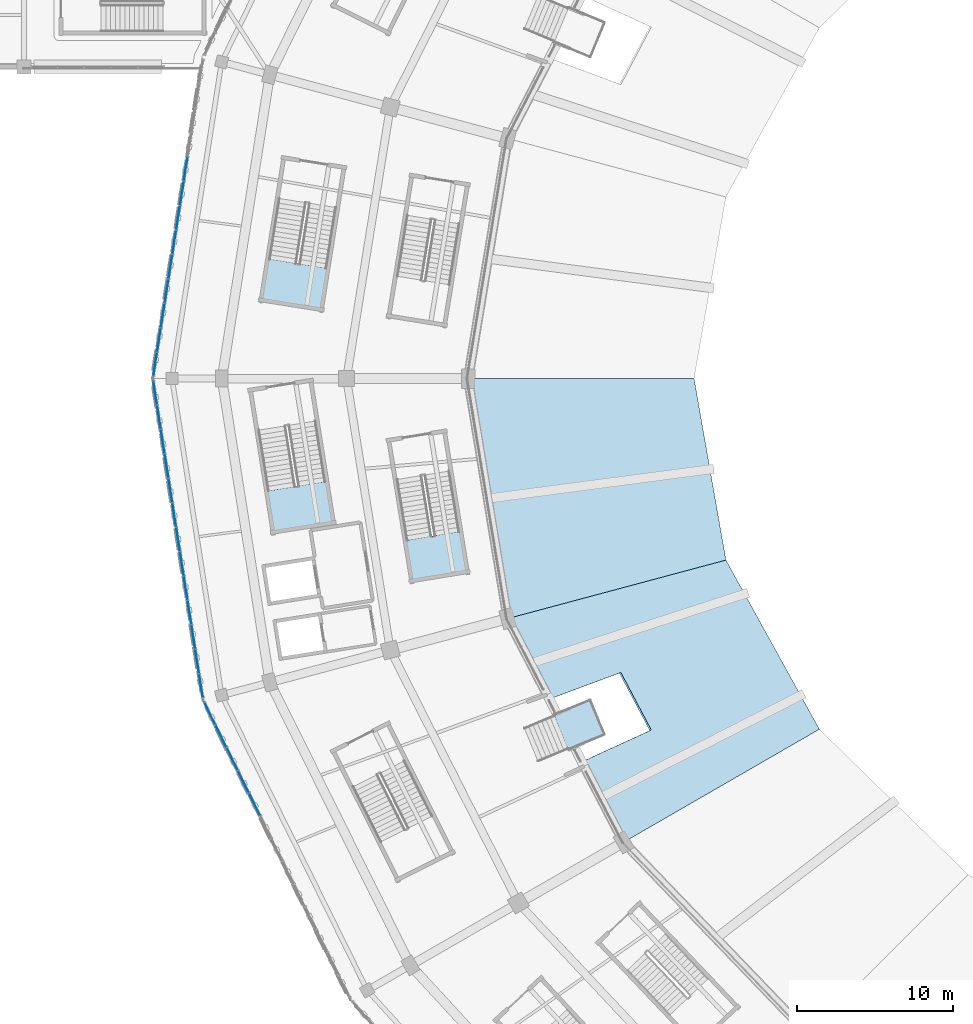
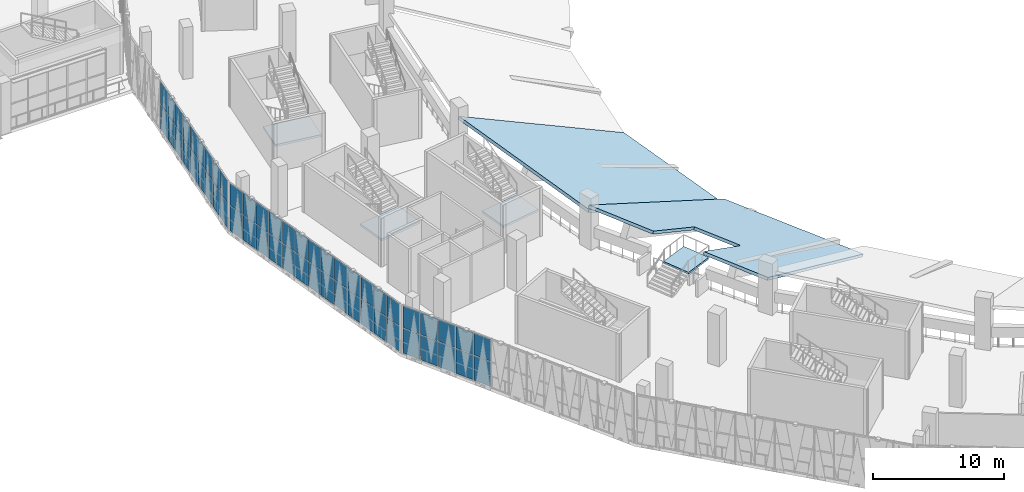
# One storey, part 77 of 183: 54 plates, 6 slabs, 7 elements without a shape of their own.
"""IFC4 building model written with IfcOpenShell, lengths in metres."""

from ifc_helpers import new_model, si_unit, direction, frame, origin, origin_2d, place, context, subcontext, project, spatial, polyline, rectangle, outline, extrude, material, layer, layer_set, type_object, element, aggregate, save


model = new_model("IFC4")

# Units and contexts
model_context = context("Model", 3, precision=1e-05, world=origin(), true_north=direction((0.0, 1.0)))
body_context = subcontext(model_context, "Body", "Model", "MODEL_VIEW")
ifc_project = project(units=[si_unit("LENGTHUNIT", "METRE"), si_unit("AREAUNIT", "SQUARE_METRE"), si_unit("VOLUMEUNIT", "CUBIC_METRE"), si_unit("PLANEANGLEUNIT", "RADIAN"), si_unit("MASSUNIT", "GRAM", prefix="KILO")], contexts=[model_context])

# Site, building, storey
site_placement = place(None, origin())
site = spatial("IfcSite", under=ifc_project, at=site_placement, CompositionType="ELEMENT")
building_placement = place(site_placement, origin())
building = spatial("IfcBuilding", under=site, at=building_placement, Name="Zevraka Park Crest Stadium", CompositionType="ELEMENT")
storey_placement = place(building_placement, frame((0.0, 0.0, 5.39990234375)))
storey = spatial("IfcBuildingStorey", under=building, at=storey_placement, Name="L01", CompositionType="ELEMENT", Elevation=5.39990234375)

# Curtain wall, plates
ifc_material_1 = material(Name="Anodised architectural aluminium and laminated safety glass", Category="aluminium")
curtain_wall_type_1 = type_object("IfcCurtainWallType", Name="CW01", PredefinedType="NOTDEFINED", material=ifc_material_1)
curtain_wall_1_placement = place(storey_placement, origin())
curtain_wall_1 = element("IfcCurtainWall", 1, at=curtain_wall_1_placement, inside=storey, type_object=curtain_wall_type_1, Name="Unitised Ring Curtain Wall CW01 L01-11", PredefinedType="NOTDEFINED")
ifc_material_2 = material(Name="Solar-control laminated double glazing", Category="glass")
ifc_layer_1 = layer(ifc_material_2, 0.028076171875)
ifc_layer_set_1 = layer_set([ifc_layer_1], Name="Solar-control laminated double glazing")
plate_type_1 = type_object("IfcPlateType", Name="CP01", PredefinedType="CURTAIN_PANEL", material=ifc_layer_set_1)
plate_1_placement = place(storey_placement, frame((19.384033203125, 105.449462890625, 0.06005859375), z_axis=(0.0, 0.0, 1.0), x_axis=(-0.154475977394, -0.987996544735, 0.0)))
plate_1 = element("IfcPlate", 2, at=plate_1_placement, type_object=plate_type_1, Name="CW01 panel 5.1", PredefinedType="CURTAIN_PANEL", context=body_context, shape_type="SweptSolid", body=[
    extrude(rectangle(XDim=1.526611328125, YDim=0.028076171875, at=origin_2d()), origin(), (0.0, 0.0, 1.0), 2.31005859375),
])
plate_2_placement = place(storey_placement, frame((19.384033203125, 105.449462890625, 2.43017578125), z_axis=(0.0, 0.0, 1.0), x_axis=(-0.154475977394, -0.987996544735, 0.0)))
plate_2 = element("IfcPlate", 3, at=plate_2_placement, type_object=plate_type_1, Name="CW01 panel 5.2", PredefinedType="CURTAIN_PANEL", context=body_context, shape_type="SweptSolid", body=[
    extrude(rectangle(XDim=1.526611328125, YDim=0.028076171875, at=origin_2d()), origin(), (0.0, 0.0, 1.0), 2.030029296875),
])
plate_3_placement = place(storey_placement, frame((19.13916015625, 103.882080078125, 0.06005859375), z_axis=(0.0, 0.0, 1.0), x_axis=(-0.154475977394, -0.987996544735, 0.0)))
plate_3 = element("IfcPlate", 4, at=plate_3_placement, type_object=plate_type_1, Name="CW01 panel 6.1", PredefinedType="CURTAIN_PANEL", context=body_context, shape_type="SweptSolid", body=[
    extrude(rectangle(XDim=1.526611328125, YDim=0.028076171875, at=origin_2d()), origin(), (0.0, 0.0, 1.0), 2.31005859375),
])
plate_4_placement = place(storey_placement, frame((19.13916015625, 103.882080078125, 2.43017578125), z_axis=(0.0, 0.0, 1.0), x_axis=(-0.154475977394, -0.987996544735, 0.0)))
plate_4 = element("IfcPlate", 5, at=plate_4_placement, type_object=plate_type_1, Name="CW01 panel 6.2", PredefinedType="CURTAIN_PANEL", context=body_context, shape_type="SweptSolid", body=[
    extrude(rectangle(XDim=1.526611328125, YDim=0.028076171875, at=origin_2d()), origin(), (0.0, 0.0, 1.0), 2.030029296875),
])
plate_5_placement = place(storey_placement, frame((18.89404296875, 102.314453125, 0.06005859375), z_axis=(0.0, 0.0, 1.0), x_axis=(-0.154475977394, -0.987996544735, 0.0)))
plate_5 = element("IfcPlate", 6, at=plate_5_placement, type_object=plate_type_1, Name="CW01 panel 7.1", PredefinedType="CURTAIN_PANEL", context=body_context, shape_type="SweptSolid", body=[
    extrude(rectangle(XDim=1.526611328125, YDim=0.028076171875, at=origin_2d()), origin(), (0.0, 0.0, 1.0), 2.31005859375),
])
plate_6_placement = place(storey_placement, frame((18.89404296875, 102.314453125, 2.43017578125), z_axis=(0.0, 0.0, 1.0), x_axis=(-0.154475977394, -0.987996544735, 0.0)))
plate_6 = element("IfcPlate", 7, at=plate_6_placement, type_object=plate_type_1, Name="CW01 panel 7.2", PredefinedType="CURTAIN_PANEL", context=body_context, shape_type="SweptSolid", body=[
    extrude(rectangle(XDim=1.526611328125, YDim=0.028076171875, at=origin_2d()), origin(), (0.0, 0.0, 1.0), 2.030029296875),
])
plate_7_placement = place(storey_placement, frame((18.64892578125, 100.7470703125, 0.06005859375), z_axis=(0.0, 0.0, 1.0), x_axis=(-0.154475977394, -0.987996544735, 0.0)))
plate_7 = element("IfcPlate", 8, at=plate_7_placement, type_object=plate_type_1, Name="CW01 panel 8.1", PredefinedType="CURTAIN_PANEL", context=body_context, shape_type="SweptSolid", body=[
    extrude(rectangle(XDim=1.526611328125, YDim=0.028076171875, at=origin_2d()), origin(), (0.0, 0.0, 1.0), 2.31005859375),
])
plate_8_placement = place(storey_placement, frame((18.64892578125, 100.7470703125, 2.43017578125), z_axis=(0.0, 0.0, 1.0), x_axis=(-0.154475977394, -0.987996544735, 0.0)))
plate_8 = element("IfcPlate", 9, at=plate_8_placement, type_object=plate_type_1, Name="CW01 panel 8.2", PredefinedType="CURTAIN_PANEL", context=body_context, shape_type="SweptSolid", body=[
    extrude(rectangle(XDim=1.526611328125, YDim=0.028076171875, at=origin_2d()), origin(), (0.0, 0.0, 1.0), 2.030029296875),
])
plate_9_placement = place(storey_placement, frame((18.40380859375, 99.1796875, 0.06005859375), z_axis=(0.0, 0.0, 1.0), x_axis=(-0.154475977394, -0.987996544735, 0.0)))
plate_9 = element("IfcPlate", 10, at=plate_9_placement, type_object=plate_type_1, Name="CW01 panel 9.1", PredefinedType="CURTAIN_PANEL", context=body_context, shape_type="SweptSolid", body=[
    extrude(rectangle(XDim=1.526611328125, YDim=0.028076171875, at=origin_2d()), origin(), (0.0, 0.0, 1.0), 2.31005859375),
])
plate_10_placement = place(storey_placement, frame((18.40380859375, 99.1796875, 2.43017578125), z_axis=(0.0, 0.0, 1.0), x_axis=(-0.154475977394, -0.987996544735, 0.0)))
plate_10 = element("IfcPlate", 11, at=plate_10_placement, type_object=plate_type_1, Name="CW01 panel 9.2", PredefinedType="CURTAIN_PANEL", context=body_context, shape_type="SweptSolid", body=[
    extrude(rectangle(XDim=1.526611328125, YDim=0.028076171875, at=origin_2d()), origin(), (0.0, 0.0, 1.0), 2.030029296875),
])
plate_11_placement = place(storey_placement, frame((18.15869140625, 97.612060546875, 0.06005859375), z_axis=(0.0, 0.0, 1.0), x_axis=(-0.154475977394, -0.987996544735, 0.0)))
plate_11 = element("IfcPlate", 12, at=plate_11_placement, type_object=plate_type_1, Name="CW01 panel 10.1", PredefinedType="CURTAIN_PANEL", context=body_context, shape_type="SweptSolid", body=[
    extrude(rectangle(XDim=1.526611328125, YDim=0.028076171875, at=origin_2d()), origin(), (0.0, 0.0, 1.0), 2.31005859375),
])
plate_12_placement = place(storey_placement, frame((18.15869140625, 97.612060546875, 2.43017578125), z_axis=(0.0, 0.0, 1.0), x_axis=(-0.154475977394, -0.987996544735, 0.0)))
plate_12 = element("IfcPlate", 13, at=plate_12_placement, type_object=plate_type_1, Name="CW01 panel 10.2", PredefinedType="CURTAIN_PANEL", context=body_context, shape_type="SweptSolid", body=[
    extrude(rectangle(XDim=1.526611328125, YDim=0.028076171875, at=origin_2d()), origin(), (0.0, 0.0, 1.0), 2.030029296875),
])
plate_13_placement = place(storey_placement, frame((17.91357421875, 96.044677734375, 0.06005859375), z_axis=(0.0, 0.0, 1.0), x_axis=(-0.154475977394, -0.987996544735, 0.0)))
plate_13 = element("IfcPlate", 14, at=plate_13_placement, type_object=plate_type_1, Name="CW01 panel 11.1", PredefinedType="CURTAIN_PANEL", context=body_context, shape_type="SweptSolid", body=[
    extrude(rectangle(XDim=1.526611328125, YDim=0.028076171875, at=origin_2d()), origin(), (0.0, 0.0, 1.0), 2.31005859375),
])
plate_14_placement = place(storey_placement, frame((17.91357421875, 96.044677734375, 2.43017578125), z_axis=(0.0, 0.0, 1.0), x_axis=(-0.154475977394, -0.987996544735, 0.0)))
plate_14 = element("IfcPlate", 15, at=plate_14_placement, type_object=plate_type_1, Name="CW01 panel 11.2", PredefinedType="CURTAIN_PANEL", context=body_context, shape_type="SweptSolid", body=[
    extrude(rectangle(XDim=1.526611328125, YDim=0.028076171875, at=origin_2d()), origin(), (0.0, 0.0, 1.0), 2.030029296875),
])
plate_15_placement = place(storey_placement, frame((17.668701171875, 94.477294921875, 0.06005859375), z_axis=(0.0, 0.0, 1.0), x_axis=(-0.154475977394, -0.987996544735, 0.0)))
plate_15 = element("IfcPlate", 16, at=plate_15_placement, type_object=plate_type_1, Name="CW01 panel 12.1", PredefinedType="CURTAIN_PANEL", context=body_context, shape_type="SweptSolid", body=[
    extrude(rectangle(XDim=1.526611328125, YDim=0.028076171875, at=origin_2d()), origin(), (0.0, 0.0, 1.0), 2.31005859375),
])
plate_16_placement = place(storey_placement, frame((17.668701171875, 94.477294921875, 2.43017578125), z_axis=(0.0, 0.0, 1.0), x_axis=(-0.154475977394, -0.987996544735, 0.0)))
plate_16 = element("IfcPlate", 17, at=plate_16_placement, type_object=plate_type_1, Name="CW01 panel 12.2", PredefinedType="CURTAIN_PANEL", context=body_context, shape_type="SweptSolid", body=[
    extrude(rectangle(XDim=1.526611328125, YDim=0.028076171875, at=origin_2d()), origin(), (0.0, 0.0, 1.0), 2.030029296875),
])
plate_17_placement = place(storey_placement, frame((17.42578125, 92.924560546875, 0.06005859375), z_axis=(0.0, 0.0, 1.0), x_axis=(-0.154475977394, -0.987996544735, 0.0)))
plate_17 = element("IfcPlate", 18, at=plate_17_placement, type_object=plate_type_1, Name="CW01 panel 13.1", PredefinedType="CURTAIN_PANEL", context=body_context, shape_type="SweptSolid", body=[
    extrude(rectangle(XDim=1.49658203125, YDim=0.028076171875, at=origin_2d()), origin(), (0.0, 0.0, 1.0), 2.31005859375),
])
plate_18_placement = place(storey_placement, frame((17.42578125, 92.924560546875, 2.43017578125), z_axis=(0.0, 0.0, 1.0), x_axis=(-0.154475977394, -0.987996544735, 0.0)))
plate_18 = element("IfcPlate", 19, at=plate_18_placement, type_object=plate_type_1, Name="CW01 panel 13.2", PredefinedType="CURTAIN_PANEL", context=body_context, shape_type="SweptSolid", body=[
    extrude(rectangle(XDim=1.49658203125, YDim=0.028076171875, at=origin_2d()), origin(), (0.0, 0.0, 1.0), 2.030029296875),
])
aggregate(curtain_wall_1, [plate_1, plate_2, plate_3, plate_4, plate_5, plate_6, plate_7, plate_8, plate_9, plate_10, plate_11, plate_12, plate_13, plate_14, plate_15, plate_16, plate_17, plate_18])

curtain_wall_2_placement = place(storey_placement, origin())
curtain_wall_2 = element("IfcCurtainWall", 20, at=curtain_wall_2_placement, inside=storey, type_object=curtain_wall_type_1, Name="Unitised Ring Curtain Wall CW01 L01-12", PredefinedType="NOTDEFINED")
plate_19_placement = place(storey_placement, frame((17.42578125, 91.075439453125, 0.06005859375), z_axis=(0.0, 0.0, 1.0), x_axis=(0.154475977394, -0.987996544735, 0.0)))
plate_19 = element("IfcPlate", 21, at=plate_19_placement, type_object=plate_type_1, Name="CW01 panel 1.1", PredefinedType="CURTAIN_PANEL", context=body_context, shape_type="SweptSolid", body=[
    extrude(rectangle(XDim=1.49658203125, YDim=0.028076171875, at=origin_2d()), origin(), (0.0, 0.0, 1.0), 2.31005859375),
])
plate_20_placement = place(storey_placement, frame((17.42578125, 91.075439453125, 2.43017578125), z_axis=(0.0, 0.0, 1.0), x_axis=(0.154475977394, -0.987996544735, 0.0)))
plate_20 = element("IfcPlate", 22, at=plate_20_placement, type_object=plate_type_1, Name="CW01 panel 1.2", PredefinedType="CURTAIN_PANEL", context=body_context, shape_type="SweptSolid", body=[
    extrude(rectangle(XDim=1.49658203125, YDim=0.028076171875, at=origin_2d()), origin(), (0.0, 0.0, 1.0), 2.030029296875),
])
plate_21_placement = place(storey_placement, frame((17.668701171875, 89.522705078125, 0.06005859375), z_axis=(0.0, 0.0, 1.0), x_axis=(0.154475977394, -0.987996544735, 0.0)))
plate_21 = element("IfcPlate", 23, at=plate_21_placement, type_object=plate_type_1, Name="CW01 panel 2.1", PredefinedType="CURTAIN_PANEL", context=body_context, shape_type="SweptSolid", body=[
    extrude(rectangle(XDim=1.526611328125, YDim=0.028076171875, at=origin_2d()), origin(), (0.0, 0.0, 1.0), 2.31005859375),
])
plate_22_placement = place(storey_placement, frame((17.668701171875, 89.522705078125, 2.43017578125), z_axis=(0.0, 0.0, 1.0), x_axis=(0.154475977394, -0.987996544735, 0.0)))
plate_22 = element("IfcPlate", 24, at=plate_22_placement, type_object=plate_type_1, Name="CW01 panel 2.2", PredefinedType="CURTAIN_PANEL", context=body_context, shape_type="SweptSolid", body=[
    extrude(rectangle(XDim=1.526611328125, YDim=0.028076171875, at=origin_2d()), origin(), (0.0, 0.0, 1.0), 2.030029296875),
])
plate_23_placement = place(storey_placement, frame((17.91357421875, 87.955322265625, 0.06005859375), z_axis=(0.0, 0.0, 1.0), x_axis=(0.154475977394, -0.987996544735, 0.0)))
plate_23 = element("IfcPlate", 25, at=plate_23_placement, type_object=plate_type_1, Name="CW01 panel 3.1", PredefinedType="CURTAIN_PANEL", context=body_context, shape_type="SweptSolid", body=[
    extrude(rectangle(XDim=1.526611328125, YDim=0.028076171875, at=origin_2d()), origin(), (0.0, 0.0, 1.0), 2.31005859375),
])
plate_24_placement = place(storey_placement, frame((17.91357421875, 87.955322265625, 2.43017578125), z_axis=(0.0, 0.0, 1.0), x_axis=(0.154475977394, -0.987996544735, 0.0)))
plate_24 = element("IfcPlate", 26, at=plate_24_placement, type_object=plate_type_1, Name="CW01 panel 3.2", PredefinedType="CURTAIN_PANEL", context=body_context, shape_type="SweptSolid", body=[
    extrude(rectangle(XDim=1.526611328125, YDim=0.028076171875, at=origin_2d()), origin(), (0.0, 0.0, 1.0), 2.030029296875),
])
plate_25_placement = place(storey_placement, frame((18.15869140625, 86.387939453125, 0.06005859375), z_axis=(0.0, 0.0, 1.0), x_axis=(0.154475977394, -0.987996544735, 0.0)))
plate_25 = element("IfcPlate", 27, at=plate_25_placement, type_object=plate_type_1, Name="CW01 panel 4.1", PredefinedType="CURTAIN_PANEL", context=body_context, shape_type="SweptSolid", body=[
    extrude(rectangle(XDim=1.526611328125, YDim=0.028076171875, at=origin_2d()), origin(), (0.0, 0.0, 1.0), 2.31005859375),
])
plate_26_placement = place(storey_placement, frame((18.15869140625, 86.387939453125, 2.43017578125), z_axis=(0.0, 0.0, 1.0), x_axis=(0.154475977394, -0.987996544735, 0.0)))
plate_26 = element("IfcPlate", 28, at=plate_26_placement, type_object=plate_type_1, Name="CW01 panel 4.2", PredefinedType="CURTAIN_PANEL", context=body_context, shape_type="SweptSolid", body=[
    extrude(rectangle(XDim=1.526611328125, YDim=0.028076171875, at=origin_2d()), origin(), (0.0, 0.0, 1.0), 2.030029296875),
])
plate_27_placement = place(storey_placement, frame((18.40380859375, 84.8203125, 0.06005859375), z_axis=(0.0, 0.0, 1.0), x_axis=(0.154475977394, -0.987996544735, 0.0)))
plate_27 = element("IfcPlate", 29, at=plate_27_placement, type_object=plate_type_1, Name="CW01 panel 5.1", PredefinedType="CURTAIN_PANEL", context=body_context, shape_type="SweptSolid", body=[
    extrude(rectangle(XDim=1.526611328125, YDim=0.028076171875, at=origin_2d()), origin(), (0.0, 0.0, 1.0), 2.31005859375),
])
plate_28_placement = place(storey_placement, frame((18.40380859375, 84.8203125, 2.43017578125), z_axis=(0.0, 0.0, 1.0), x_axis=(0.154475977394, -0.987996544735, 0.0)))
plate_28 = element("IfcPlate", 30, at=plate_28_placement, type_object=plate_type_1, Name="CW01 panel 5.2", PredefinedType="CURTAIN_PANEL", context=body_context, shape_type="SweptSolid", body=[
    extrude(rectangle(XDim=1.526611328125, YDim=0.028076171875, at=origin_2d()), origin(), (0.0, 0.0, 1.0), 2.030029296875),
])
plate_29_placement = place(storey_placement, frame((18.64892578125, 83.2529296875, 0.06005859375), z_axis=(0.0, 0.0, 1.0), x_axis=(0.154475977394, -0.987996544735, 0.0)))
plate_29 = element("IfcPlate", 31, at=plate_29_placement, type_object=plate_type_1, Name="CW01 panel 6.1", PredefinedType="CURTAIN_PANEL", context=body_context, shape_type="SweptSolid", body=[
    extrude(rectangle(XDim=1.526611328125, YDim=0.028076171875, at=origin_2d()), origin(), (0.0, 0.0, 1.0), 2.31005859375),
])
plate_30_placement = place(storey_placement, frame((18.64892578125, 83.2529296875, 2.43017578125), z_axis=(0.0, 0.0, 1.0), x_axis=(0.154475977394, -0.987996544735, 0.0)))
plate_30 = element("IfcPlate", 32, at=plate_30_placement, type_object=plate_type_1, Name="CW01 panel 6.2", PredefinedType="CURTAIN_PANEL", context=body_context, shape_type="SweptSolid", body=[
    extrude(rectangle(XDim=1.526611328125, YDim=0.028076171875, at=origin_2d()), origin(), (0.0, 0.0, 1.0), 2.030029296875),
])
plate_31_placement = place(storey_placement, frame((18.89404296875, 81.685546875, 0.06005859375), z_axis=(0.0, 0.0, 1.0), x_axis=(0.154475977394, -0.987996544735, 0.0)))
plate_31 = element("IfcPlate", 33, at=plate_31_placement, type_object=plate_type_1, Name="CW01 panel 7.1", PredefinedType="CURTAIN_PANEL", context=body_context, shape_type="SweptSolid", body=[
    extrude(rectangle(XDim=1.526611328125, YDim=0.028076171875, at=origin_2d()), origin(), (0.0, 0.0, 1.0), 2.31005859375),
])
plate_32_placement = place(storey_placement, frame((18.89404296875, 81.685546875, 2.43017578125), z_axis=(0.0, 0.0, 1.0), x_axis=(0.154475977394, -0.987996544735, 0.0)))
plate_32 = element("IfcPlate", 34, at=plate_32_placement, type_object=plate_type_1, Name="CW01 panel 7.2", PredefinedType="CURTAIN_PANEL", context=body_context, shape_type="SweptSolid", body=[
    extrude(rectangle(XDim=1.526611328125, YDim=0.028076171875, at=origin_2d()), origin(), (0.0, 0.0, 1.0), 2.030029296875),
])
plate_33_placement = place(storey_placement, frame((19.13916015625, 80.117919921875, 0.06005859375), z_axis=(0.0, 0.0, 1.0), x_axis=(0.154475977394, -0.987996544735, 0.0)))
plate_33 = element("IfcPlate", 35, at=plate_33_placement, type_object=plate_type_1, Name="CW01 panel 8.1", PredefinedType="CURTAIN_PANEL", context=body_context, shape_type="SweptSolid", body=[
    extrude(rectangle(XDim=1.526611328125, YDim=0.028076171875, at=origin_2d()), origin(), (0.0, 0.0, 1.0), 2.31005859375),
])
plate_34_placement = place(storey_placement, frame((19.13916015625, 80.117919921875, 2.43017578125), z_axis=(0.0, 0.0, 1.0), x_axis=(0.154475977394, -0.987996544735, 0.0)))
plate_34 = element("IfcPlate", 36, at=plate_34_placement, type_object=plate_type_1, Name="CW01 panel 8.2", PredefinedType="CURTAIN_PANEL", context=body_context, shape_type="SweptSolid", body=[
    extrude(rectangle(XDim=1.526611328125, YDim=0.028076171875, at=origin_2d()), origin(), (0.0, 0.0, 1.0), 2.030029296875),
])
plate_35_placement = place(storey_placement, frame((19.384033203125, 78.550537109375, 0.06005859375), z_axis=(0.0, 0.0, 1.0), x_axis=(0.154475977394, -0.987996544735, 0.0)))
plate_35 = element("IfcPlate", 37, at=plate_35_placement, type_object=plate_type_1, Name="CW01 panel 9.1", PredefinedType="CURTAIN_PANEL", context=body_context, shape_type="SweptSolid", body=[
    extrude(rectangle(XDim=1.526611328125, YDim=0.028076171875, at=origin_2d()), origin(), (0.0, 0.0, 1.0), 2.31005859375),
])
plate_36_placement = place(storey_placement, frame((19.384033203125, 78.550537109375, 2.43017578125), z_axis=(0.0, 0.0, 1.0), x_axis=(0.154475977394, -0.987996544735, 0.0)))
plate_36 = element("IfcPlate", 38, at=plate_36_placement, type_object=plate_type_1, Name="CW01 panel 9.2", PredefinedType="CURTAIN_PANEL", context=body_context, shape_type="SweptSolid", body=[
    extrude(rectangle(XDim=1.526611328125, YDim=0.028076171875, at=origin_2d()), origin(), (0.0, 0.0, 1.0), 2.030029296875),
])
plate_37_placement = place(storey_placement, frame((19.629150390625, 76.983154296875, 0.06005859375), z_axis=(0.0, 0.0, 1.0), x_axis=(0.154475977394, -0.987996544735, 0.0)))
plate_37 = element("IfcPlate", 39, at=plate_37_placement, type_object=plate_type_1, Name="CW01 panel 10.1", PredefinedType="CURTAIN_PANEL", context=body_context, shape_type="SweptSolid", body=[
    extrude(rectangle(XDim=1.526611328125, YDim=0.028076171875, at=origin_2d()), origin(), (0.0, 0.0, 1.0), 2.31005859375),
])
plate_38_placement = place(storey_placement, frame((19.629150390625, 76.983154296875, 2.43017578125), z_axis=(0.0, 0.0, 1.0), x_axis=(0.154475977394, -0.987996544735, 0.0)))
plate_38 = element("IfcPlate", 40, at=plate_38_placement, type_object=plate_type_1, Name="CW01 panel 10.2", PredefinedType="CURTAIN_PANEL", context=body_context, shape_type="SweptSolid", body=[
    extrude(rectangle(XDim=1.526611328125, YDim=0.028076171875, at=origin_2d()), origin(), (0.0, 0.0, 1.0), 2.030029296875),
])
plate_39_placement = place(storey_placement, frame((19.874267578125, 75.415771484375, 0.06005859375), z_axis=(0.0, 0.0, 1.0), x_axis=(0.154475977394, -0.987996544735, 0.0)))
plate_39 = element("IfcPlate", 41, at=plate_39_placement, type_object=plate_type_1, Name="CW01 panel 11.1", PredefinedType="CURTAIN_PANEL", context=body_context, shape_type="SweptSolid", body=[
    extrude(rectangle(XDim=1.526611328125, YDim=0.028076171875, at=origin_2d()), origin(), (0.0, 0.0, 1.0), 2.31005859375),
])
plate_40_placement = place(storey_placement, frame((19.874267578125, 75.415771484375, 2.43017578125), z_axis=(0.0, 0.0, 1.0), x_axis=(0.154475977394, -0.987996544735, 0.0)))
plate_40 = element("IfcPlate", 42, at=plate_40_placement, type_object=plate_type_1, Name="CW01 panel 11.2", PredefinedType="CURTAIN_PANEL", context=body_context, shape_type="SweptSolid", body=[
    extrude(rectangle(XDim=1.526611328125, YDim=0.028076171875, at=origin_2d()), origin(), (0.0, 0.0, 1.0), 2.030029296875),
])
plate_41_placement = place(storey_placement, frame((20.119384765625, 73.84814453125, 0.06005859375), z_axis=(0.0, 0.0, 1.0), x_axis=(0.154475977394, -0.987996544735, 0.0)))
plate_41 = element("IfcPlate", 43, at=plate_41_placement, type_object=plate_type_1, Name="CW01 panel 12.1", PredefinedType="CURTAIN_PANEL", context=body_context, shape_type="SweptSolid", body=[
    extrude(rectangle(XDim=1.526611328125, YDim=0.028076171875, at=origin_2d()), origin(), (0.0, 0.0, 1.0), 2.31005859375),
])
plate_42_placement = place(storey_placement, frame((20.119384765625, 73.84814453125, 2.43017578125), z_axis=(0.0, 0.0, 1.0), x_axis=(0.154475977394, -0.987996544735, 0.0)))
plate_42 = element("IfcPlate", 44, at=plate_42_placement, type_object=plate_type_1, Name="CW01 panel 12.2", PredefinedType="CURTAIN_PANEL", context=body_context, shape_type="SweptSolid", body=[
    extrude(rectangle(XDim=1.526611328125, YDim=0.028076171875, at=origin_2d()), origin(), (0.0, 0.0, 1.0), 2.030029296875),
])
plate_43_placement = place(storey_placement, frame((20.362060546875, 72.295654296875, 0.06005859375), z_axis=(0.0, 0.0, 1.0), x_axis=(0.154475977394, -0.987996544735, 0.0)))
plate_43 = element("IfcPlate", 45, at=plate_43_placement, type_object=plate_type_1, Name="CW01 panel 13.1", PredefinedType="CURTAIN_PANEL", context=body_context, shape_type="SweptSolid", body=[
    extrude(rectangle(XDim=1.49658203125, YDim=0.028076171875, at=origin_2d()), origin(), (0.0, 0.0, 1.0), 2.31005859375),
])
plate_44_placement = place(storey_placement, frame((20.362060546875, 72.295654296875, 2.43017578125), z_axis=(0.0, 0.0, 1.0), x_axis=(0.154475977394, -0.987996544735, 0.0)))
plate_44 = element("IfcPlate", 46, at=plate_44_placement, type_object=plate_type_1, Name="CW01 panel 13.2", PredefinedType="CURTAIN_PANEL", context=body_context, shape_type="SweptSolid", body=[
    extrude(rectangle(XDim=1.49658203125, YDim=0.028076171875, at=origin_2d()), origin(), (0.0, 0.0, 1.0), 2.030029296875),
])
aggregate(curtain_wall_2, [plate_19, plate_20, plate_21, plate_22, plate_23, plate_24, plate_25, plate_26, plate_27, plate_28, plate_29, plate_30, plate_31, plate_32, plate_33, plate_34, plate_35, plate_36, plate_37, plate_38, plate_39, plate_40, plate_41, plate_42, plate_43, plate_44])

ifc_material_3 = material(Name="Anodised architectural aluminium and laminated safety glass", Category="aluminium")
curtain_wall_type_2 = type_object("IfcCurtainWallType", Name="CW02", PredefinedType="NOTDEFINED", material=ifc_material_3)
curtain_wall_3_placement = place(storey_placement, origin())
curtain_wall_3 = element("IfcCurtainWall", 47, at=curtain_wall_3_placement, inside=storey, type_object=curtain_wall_type_2, Name="Unitised Ring Curtain Wall CW02 L01-13", PredefinedType="NOTDEFINED")
ifc_material_4 = material(Name="Solar-control laminated double glazing", Category="glass")
ifc_layer_2 = layer(ifc_material_4, 0.028076171875)
ifc_layer_set_2 = layer_set([ifc_layer_2], Name="Solar-control laminated double glazing")
plate_type_2 = type_object("IfcPlateType", Name="CP02", PredefinedType="CURTAIN_PANEL", material=ifc_layer_set_2)
plate_45_placement = place(storey_placement, frame((20.9306640625, 70.5107421875, 0.06494140625), z_axis=(0.0, 0.0, 1.0), x_axis=(0.44151730924, -0.897252732312, 0.0)))
plate_45 = element("IfcPlate", 48, at=plate_45_placement, type_object=plate_type_2, Name="CW02 panel 1.1", PredefinedType="CURTAIN_PANEL", context=body_context, shape_type="SweptSolid", body=[
    extrude(rectangle(XDim=1.531005859375, YDim=0.028076171875, at=origin_2d()), origin(), (0.0, 0.0, 1.0), 2.302490234375),
])
plate_46_placement = place(storey_placement, frame((20.9306640625, 70.5107421875, 2.4326171875), z_axis=(0.0, 0.0, 1.0), x_axis=(0.44151730924, -0.897252732312, 0.0)))
plate_46 = element("IfcPlate", 49, at=plate_46_placement, type_object=plate_type_2, Name="CW02 panel 1.2", PredefinedType="CURTAIN_PANEL", context=body_context, shape_type="SweptSolid", body=[
    extrude(rectangle(XDim=1.531005859375, YDim=0.028076171875, at=origin_2d()), origin(), (0.0, 0.0, 1.0), 2.0224609375),
])
plate_47_placement = place(storey_placement, frame((21.642578125, 69.064208984375, 0.06494140625), z_axis=(0.0, 0.0, 1.0), x_axis=(0.44151730924, -0.897252732312, 0.0)))
plate_47 = element("IfcPlate", 50, at=plate_47_placement, type_object=plate_type_2, Name="CW02 panel 2.1", PredefinedType="CURTAIN_PANEL", context=body_context, shape_type="SweptSolid", body=[
    extrude(rectangle(XDim=1.5634765625, YDim=0.028076171875, at=origin_2d()), origin(), (0.0, 0.0, 1.0), 2.302490234375),
])
plate_48_placement = place(storey_placement, frame((21.642578125, 69.064208984375, 2.4326171875), z_axis=(0.0, 0.0, 1.0), x_axis=(0.44151730924, -0.897252732312, 0.0)))
plate_48 = element("IfcPlate", 51, at=plate_48_placement, type_object=plate_type_2, Name="CW02 panel 2.2", PredefinedType="CURTAIN_PANEL", context=body_context, shape_type="SweptSolid", body=[
    extrude(rectangle(XDim=1.5634765625, YDim=0.028076171875, at=origin_2d()), origin(), (0.0, 0.0, 1.0), 2.0224609375),
])
plate_49_placement = place(storey_placement, frame((22.361572265625, 67.60302734375, 0.06494140625), z_axis=(0.0, 0.0, 1.0), x_axis=(0.44151730924, -0.897252732312, 0.0)))
plate_49 = element("IfcPlate", 52, at=plate_49_placement, type_object=plate_type_2, Name="CW02 panel 3.1", PredefinedType="CURTAIN_PANEL", context=body_context, shape_type="SweptSolid", body=[
    extrude(rectangle(XDim=1.5634765625, YDim=0.028076171875, at=origin_2d()), origin(), (0.0, 0.0, 1.0), 2.302490234375),
])
plate_50_placement = place(storey_placement, frame((22.361572265625, 67.60302734375, 2.4326171875), z_axis=(0.0, 0.0, 1.0), x_axis=(0.44151730924, -0.897252732312, 0.0)))
plate_50 = element("IfcPlate", 53, at=plate_50_placement, type_object=plate_type_2, Name="CW02 panel 3.2", PredefinedType="CURTAIN_PANEL", context=body_context, shape_type="SweptSolid", body=[
    extrude(rectangle(XDim=1.5634765625, YDim=0.028076171875, at=origin_2d()), origin(), (0.0, 0.0, 1.0), 2.0224609375),
])
plate_51_placement = place(storey_placement, frame((23.08056640625, 66.141845703125, 0.06494140625), z_axis=(0.0, 0.0, 1.0), x_axis=(0.44151730924, -0.897252732312, 0.0)))
plate_51 = element("IfcPlate", 54, at=plate_51_placement, type_object=plate_type_2, Name="CW02 panel 4.1", PredefinedType="CURTAIN_PANEL", context=body_context, shape_type="SweptSolid", body=[
    extrude(rectangle(XDim=1.5634765625, YDim=0.028076171875, at=origin_2d()), origin(), (0.0, 0.0, 1.0), 2.302490234375),
])
plate_52_placement = place(storey_placement, frame((23.08056640625, 66.141845703125, 2.4326171875), z_axis=(0.0, 0.0, 1.0), x_axis=(0.44151730924, -0.897252732312, 0.0)))
plate_52 = element("IfcPlate", 55, at=plate_52_placement, type_object=plate_type_2, Name="CW02 panel 4.2", PredefinedType="CURTAIN_PANEL", context=body_context, shape_type="SweptSolid", body=[
    extrude(rectangle(XDim=1.5634765625, YDim=0.028076171875, at=origin_2d()), origin(), (0.0, 0.0, 1.0), 2.0224609375),
])
plate_53_placement = place(storey_placement, frame((23.799560546875, 64.680908203125, 0.06494140625), z_axis=(0.0, 0.0, 1.0), x_axis=(0.44151730924, -0.897252732312, 0.0)))
plate_53 = element("IfcPlate", 56, at=plate_53_placement, type_object=plate_type_2, Name="CW02 panel 5.1", PredefinedType="CURTAIN_PANEL", context=body_context, shape_type="SweptSolid", body=[
    extrude(rectangle(XDim=1.5634765625, YDim=0.028076171875, at=origin_2d()), origin(), (0.0, 0.0, 1.0), 2.302490234375),
])
plate_54_placement = place(storey_placement, frame((23.799560546875, 64.680908203125, 2.4326171875), z_axis=(0.0, 0.0, 1.0), x_axis=(0.44151730924, -0.897252732312, 0.0)))
plate_54 = element("IfcPlate", 57, at=plate_54_placement, type_object=plate_type_2, Name="CW02 panel 5.2", PredefinedType="CURTAIN_PANEL", context=body_context, shape_type="SweptSolid", body=[
    extrude(rectangle(XDim=1.5634765625, YDim=0.028076171875, at=origin_2d()), origin(), (0.0, 0.0, 1.0), 2.0224609375),
])
aggregate(curtain_wall_3, [plate_45, plate_46, plate_47, plate_48, plate_49, plate_50, plate_51, plate_52, plate_53, plate_54])

# Stair, slab
ifc_material_5 = material(Name="Concrete C35/45", Category="concrete")
stair_type_1 = type_object("IfcStairType", Name="STA2", PredefinedType="HALF_TURN_STAIR", material=ifc_material_5)
stair_1_placement = place(storey_placement, origin())
stair_1 = element("IfcStair", 58, at=stair_1_placement, inside=storey, type_object=stair_type_1, Name="L01 Protected Concourse Exit Stair ST12", PredefinedType="HALF_TURN_STAIR")
ifc_material_6 = material(Name="Concrete C35/45", Category="concrete")
ifc_layer_3 = layer(ifc_material_6, 0.199951171875)
ifc_layer_set_3 = layer_set([ifc_layer_3], Name="Concrete C35/45")
slab_type_1 = type_object("IfcSlabType", Name="LS01", PredefinedType="LANDING", material=ifc_layer_set_3)
slab_1_placement = place(storey_placement, frame((0.0, 0.0, 2.2001953125)))
slab_1 = element("IfcSlab", 59, at=slab_1_placement, type_object=slab_type_1, Name="ST12 landing 1", PredefinedType="LANDING", context=body_context, shape_type="SweptSolid", body=[
    extrude(outline(polyline([(24.71826171875, 99.670166015625), (24.307861328125, 97.092529296875), (28.02099609375, 96.501220703125), (28.431396484375, 99.078857421875), (24.71826171875, 99.670166015625)])), origin(), (0.0, 0.0, 1.0), 0.199951171875),
])
aggregate(stair_1, [slab_1])

stair_2_placement = place(storey_placement, origin())
stair_2 = element("IfcStair", 60, at=stair_2_placement, inside=storey, type_object=stair_type_1, Name="L01 Protected Concourse Exit Stair ST13", PredefinedType="HALF_TURN_STAIR")
slab_2_placement = place(storey_placement, frame((0.0, 0.0, 2.2001953125)))
slab_2 = element("IfcSlab", 61, at=slab_2_placement, type_object=slab_type_1, Name="ST13 landing 1", PredefinedType="LANDING", context=body_context, shape_type="SweptSolid", body=[
    extrude(outline(polyline([(24.644775390625, 84.794189453125), (25.05517578125, 82.216552734375), (28.7685546875, 82.807861328125), (28.35791015625, 85.385498046875), (24.644775390625, 84.794189453125)])), origin(), (0.0, 0.0, 1.0), 0.199951171875),
])
aggregate(stair_2, [slab_2])

ifc_material_7 = material(Name="Concrete C35/45", Category="concrete")
stair_type_2 = type_object("IfcStairType", Name="STB2", PredefinedType="HALF_TURN_STAIR", material=ifc_material_7)
stair_3_placement = place(storey_placement, origin())
stair_3 = element("IfcStair", 62, at=stair_3_placement, inside=storey, type_object=stair_type_2, Name="L01 Protected Concourse Relief Stair ST39", PredefinedType="HALF_TURN_STAIR")
slab_3_placement = place(storey_placement, frame((0.0, 0.0, 2.2001953125)))
slab_3 = element("IfcSlab", 63, at=slab_3_placement, type_object=slab_type_1, Name="ST39 landing 1", PredefinedType="LANDING", context=body_context, shape_type="SweptSolid", body=[
    extrude(outline(polyline([(33.535888671875, 81.626953125), (33.947265625, 79.100341796875), (37.3623046875, 79.656494140625), (36.950927734375, 82.18310546875), (33.535888671875, 81.626953125)])), origin(), (0.0, 0.0, 1.0), 0.199951171875),
])
aggregate(stair_3, [slab_3])

ifc_material_8 = material(Name="Concrete C35/45", Category="concrete")
stair_type_3 = type_object("IfcStairType", Name="VST1", PredefinedType="STRAIGHT_RUN_STAIR", material=ifc_material_8)
stair_4_placement = place(storey_placement, origin())
stair_4 = element("IfcStair", 64, at=stair_4_placement, inside=storey, type_object=stair_type_3, Name="Vomitory Stair VS-05", PredefinedType="STRAIGHT_RUN_STAIR")
ifc_material_9 = material(Name="Concrete C35/45", Category="concrete")
ifc_layer_4 = layer(ifc_material_9, 0.179931640625)
ifc_layer_set_4 = layer_set([ifc_layer_4], Name="Concrete C35/45")
slab_type_2 = type_object("IfcSlabType", Name="LS02", PredefinedType="LANDING", material=ifc_layer_set_4)
slab_4_placement = place(storey_placement, frame((0.0, 0.0, 1.02001953125)))
slab_4 = element("IfcSlab", 65, at=slab_4_placement, type_object=slab_type_2, Name="VST1 landing 1", PredefinedType="LANDING", context=body_context, shape_type="SweptSolid", body=[
    extrude(outline(polyline([(43.9189453125, 68.19189453125), (46.251953125, 69.158935546875), (45.333984375, 71.3759765625), (43.0009765625, 70.409912109375), (43.9189453125, 68.19189453125)])), origin(), (0.0, 0.0, 1.0), 0.18017578125),
])
aggregate(stair_4, [slab_4])

# Slabs
ifc_material_10 = material(Name="Concrete C35/45", Category="concrete")
ifc_layer_5 = layer(ifc_material_10, 0.25)
ifc_layer_set_5 = layer_set([ifc_layer_5], Name="Concrete C35/45")
slab_type_3 = type_object("IfcSlabType", Name="STL1", PredefinedType="USERDEFINED", material=ifc_layer_set_5)
slab_5_placement = place(storey_placement, frame((52.0, 92.0, -3.083740234375), z_axis=(0.413678354675, 0.054461033566, 0.908792723726), x_axis=(0.172816474741, -0.984757974906, -0.019651893485)))
element("IfcSlab", 66, at=slab_5_placement, inside=storey, type_object=slab_type_3, Name="Lower Tier Raked Seating Slab 12", ObjectType="SEATING TIER", PredefinedType="USERDEFINED", context=body_context, shape_type="SweptSolid", body=[
    extrude(outline(polyline([(0.0, 0.0), (11.827244160152556, 5.551115123125783e-16), (12.972997504054115, -15.889195685552531), (-2.6355480977032752, -15.712046272215026), (0.0, 0.0)])), origin(), (0.0, 0.0, -1.0), 0.25),
])
slab_6_placement = place(storey_placement, frame((54.0439453125, 80.35302734375, -2.882080078125), z_axis=(0.385474297041, 0.15967894094, 0.908797118251), x_axis=(0.482829240661, -0.874216895554, -0.051193201614)))
element("IfcSlab", 67, at=slab_6_placement, inside=storey, type_object=slab_type_3, Name="Lower Tier Raked Seating Slab 13", ObjectType="SEATING TIER", PredefinedType="USERDEFINED", context=body_context, shape_type="SweptSolid", body=[
    extrude(outline(polyline([(0.0, 0.0), (12.414579417833545, 1.6653345369377348e-16), (12.351822765921051, -15.931143620033351), (6.530428331253988, -15.763501241328278), (7.01180307936752, -10.40353243899197), (2.841543913652132, -10.317727313160253), (2.002446908090243, -15.633466233792237), (-3.8189600249170597, -15.46592495025442), (0.0, 0.0)])), origin(), (0.0, 0.0, -1.0), 0.25),
])

save(model, "model.ifc")
